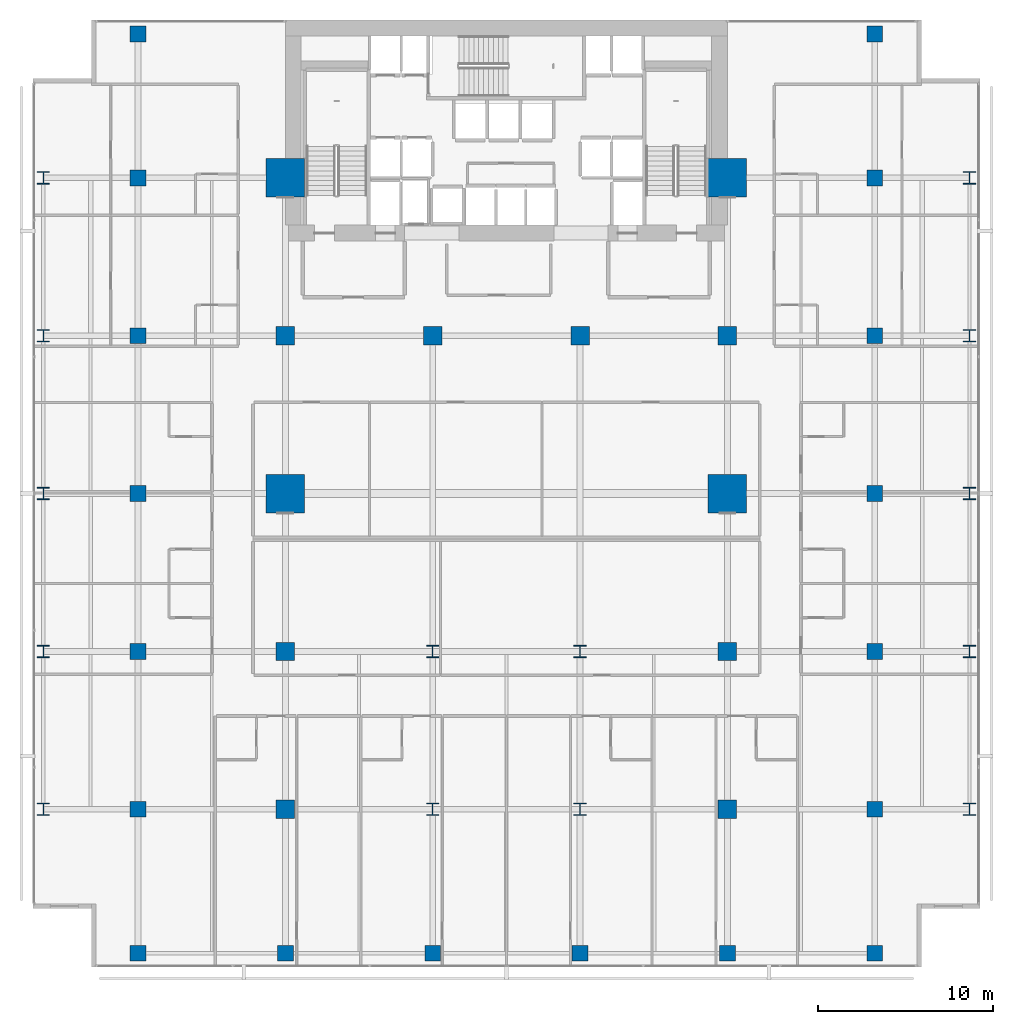
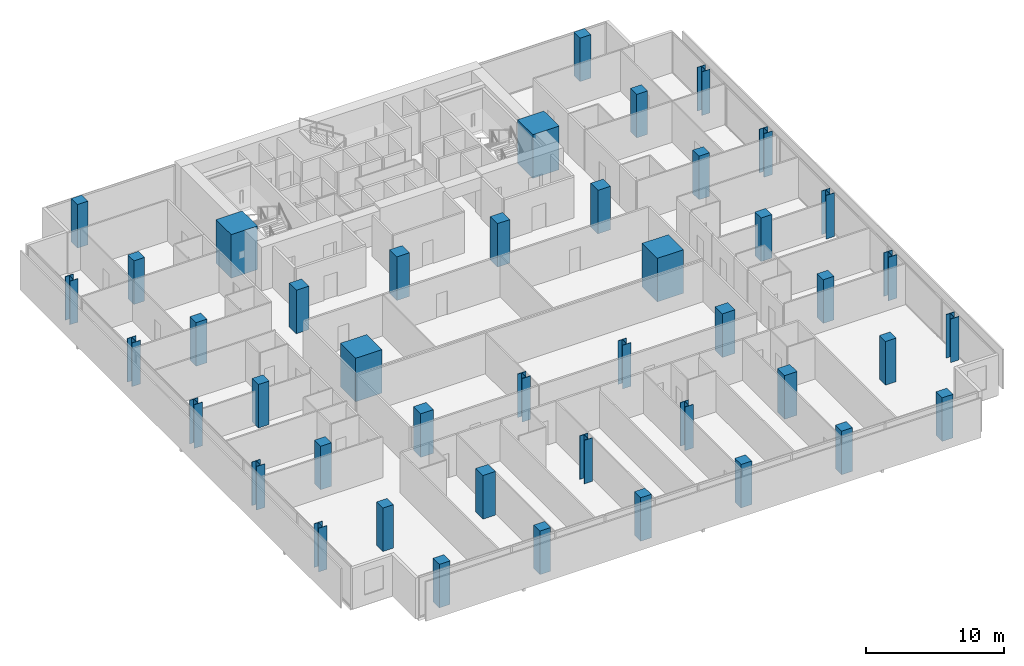
# One storey, part 1 of 40: 44 columns.
"""IFC4 building model written with IfcOpenShell, lengths in metres."""

from ifc_helpers import new_model, si_unit, direction, frame, origin, origin_2d, place, context, subcontext, project, spatial, rectangle, i_section, extrude, material, material_profile, profile_set, type_object, element, save


model = new_model("IFC4")

# Units and contexts
model_context = context("Model", 3, precision=1e-05, world=origin(), true_north=direction((0.0, 1.0)))
body_context = subcontext(model_context, "Body", "Model", "MODEL_VIEW")
ifc_project = project(units=[si_unit("LENGTHUNIT", "METRE"), si_unit("AREAUNIT", "SQUARE_METRE"), si_unit("VOLUMEUNIT", "CUBIC_METRE"), si_unit("PLANEANGLEUNIT", "RADIAN"), si_unit("MASSUNIT", "GRAM", prefix="KILO")], contexts=[model_context])

# Site, building, storey
site_placement = place(None, origin())
site = spatial("IfcSite", under=ifc_project, at=site_placement, CompositionType="ELEMENT")
building_placement = place(site_placement, origin())
building = spatial("IfcBuilding", under=site, at=building_placement, Name="Maruvema Waterfront Hotel and Observation Tower", CompositionType="ELEMENT")
storey_placement = place(building_placement, frame((0.0, 0.0, 42.35009765625)))
storey = spatial("IfcBuildingStorey", under=building, at=storey_placement, Name="L09", CompositionType="ELEMENT", Elevation=42.35009765625)

# Columns
ifc_material_1 = material(Name="Concrete C80/95", Category="concrete")
ifc_material_profile_1 = material_profile(ifc_material_1, rectangle(XDim=2.199951171875, YDim=2.199951171875, at=origin_2d()), Name="MC2200x2200")
ifc_profile_set_1 = profile_set([ifc_material_profile_1], Name="Concrete C80/95")
column_type_1 = type_object("IfcColumnType", Name="Continuous Mega-Column MC2200x2200", PredefinedType="COLUMN", material=ifc_profile_set_1)
for number, where, z_axis, x_axis, name in (
    (1, (25.199951171875, 27.0, 0.0), (0.0, 0.0, 1.0), (1.0, 0.0, 0.0), "L09 Continuous Mega-Column MC-01"),
    (2, (50.39990234375, 27.0, 0.0), (0.0, 0.0, 1.0), (1.0, 0.0, 0.0), "L09 Continuous Mega-Column MC-02"),
    (3, (25.199951171875, 45.0, 0.0), (0.0, 0.0, 1.0), (1.0, 0.0, 0.0), "L09 Continuous Mega-Column MC-03"),
    (4, (50.39990234375, 45.0, 0.0), (0.0, 0.0, 1.0), (1.0, 0.0, 0.0), "L09 Continuous Mega-Column MC-04"),
):
    element("IfcColumn", number, at=place(storey_placement, frame(where, z_axis=z_axis, x_axis=x_axis)), inside=storey, type_object=column_type_1, Name=name, PredefinedType="COLUMN", context=body_context, shape_type="SweptSolid", body=[
        extrude(rectangle(XDim=2.199951171875, YDim=2.199951171875, at=origin_2d()), origin(), (0.0, 0.0, 1.0), 3.849853515625),
    ])
ifc_material_2 = material(Name="Concrete C60/75", Category="concrete")
ifc_material_profile_2 = material_profile(ifc_material_2, rectangle(XDim=1.050048828125, YDim=1.050048828125, at=origin_2d()), Name="RC1050x1050")
ifc_profile_set_2 = profile_set([ifc_material_profile_2], Name="Concrete C60/75")
column_type_2 = type_object("IfcColumnType", Name="Reinforced Concrete Column RC1050x1050", PredefinedType="COLUMN", material=ifc_profile_set_2)
for number, where, z_axis, x_axis, name in (
    (5, (25.199951171875, 36.0, 0.0), (0.0, 0.0, 1.0), (1.0, 0.0, 0.0), "L09 Column C-4E"),
    (6, (33.60009765625, 36.0, 0.0), (0.0, 0.0, 1.0), (1.0, 0.0, 0.0), "L09 Column C-5E"),
    (7, (42.0, 36.0, 0.0), (0.0, 0.0, 1.0), (1.0, 0.0, 0.0), "L09 Column C-6E"),
    (8, (50.39990234375, 36.0, 0.0), (0.0, 0.0, 1.0), (1.0, 0.0, 0.0), "L09 Column C-7E"),
    (9, (25.199951171875, 18.0, 0.0), (0.0, 0.0, 1.0), (1.0, 0.0, 0.0), "L09 Column C-4C"),
    (10, (50.39990234375, 18.0, 0.0), (0.0, 0.0, 1.0), (1.0, 0.0, 0.0), "L09 Column C-7C"),
    (11, (25.199951171875, 9.0, 0.0), (0.0, 0.0, 1.0), (1.0, 0.0, 0.0), "L09 Column C-4B"),
    (12, (50.39990234375, 9.0, 0.0), (0.0, 0.0, 1.0), (1.0, 0.0, 0.0), "L09 Column C-7B"),
):
    element("IfcColumn", number, at=place(storey_placement, frame(where, z_axis=z_axis, x_axis=x_axis)), inside=storey, type_object=column_type_2, Name=name, PredefinedType="COLUMN", context=body_context, shape_type="SweptSolid", body=[
        extrude(rectangle(XDim=1.050048828125, YDim=1.050048828125, at=origin_2d()), origin(), (0.0, 0.0, 1.0), 3.849853515625),
    ])
ifc_material_3 = material(Name="Concrete C60/75", Category="concrete")
ifc_material_profile_3 = material_profile(ifc_material_3, rectangle(XDim=0.89990234375, YDim=0.89990234375, at=origin_2d()), Name="RC900x900")
ifc_profile_set_3 = profile_set([ifc_material_profile_3], Name="Concrete C60/75")
column_type_3 = type_object("IfcColumnType", Name="Reinforced Concrete Column RC900x900", PredefinedType="COLUMN", material=ifc_profile_set_3)
for number, where, z_axis, x_axis, name in (
    (13, (16.800048828125, 9.0, 0.0), (0.0, 0.0, 1.0), (1.0, 0.0, 0.0), "L09 Column C-3Y9"),
    (14, (58.800048828125, 9.0, 0.0), (0.0, 0.0, 1.0), (1.0, 0.0, 0.0), "L09 Column C-8Y9"),
    (15, (16.800048828125, 18.0, 0.0), (0.0, 0.0, 1.0), (1.0, 0.0, 0.0), "L09 Column C-3Y18"),
    (16, (58.800048828125, 18.0, 0.0), (0.0, 0.0, 1.0), (1.0, 0.0, 0.0), "L09 Column C-8Y18"),
    (17, (16.800048828125, 27.0, 0.0), (0.0, 0.0, 1.0), (1.0, 0.0, 0.0), "L09 Column C-3Y27"),
    (18, (58.800048828125, 27.0, 0.0), (0.0, 0.0, 1.0), (1.0, 0.0, 0.0), "L09 Column C-8Y27"),
    (19, (16.800048828125, 36.0, 0.0), (0.0, 0.0, 1.0), (1.0, 0.0, 0.0), "L09 Column C-3Y36"),
    (20, (58.800048828125, 36.0, 0.0), (0.0, 0.0, 1.0), (1.0, 0.0, 0.0), "L09 Column C-8Y36"),
    (21, (16.800048828125, 45.0, 0.0), (0.0, 0.0, 1.0), (1.0, 0.0, 0.0), "L09 Column C-3Y45"),
    (22, (58.800048828125, 45.0, 0.0), (0.0, 0.0, 1.0), (1.0, 0.0, 0.0), "L09 Column C-8Y45"),
    (23, (16.800048828125, 0.800048828125, 0.0), (0.0, 0.0, 1.0), (1.0, 0.0, 0.0), "L09 Column C-3A"),
    (24, (25.199951171875, 0.800048828125, 0.0), (0.0, 0.0, 1.0), (1.0, 0.0, 0.0), "L09 Column C-4A"),
    (25, (33.60009765625, 0.800048828125, 0.0), (0.0, 0.0, 1.0), (1.0, 0.0, 0.0), "L09 Column C-5A"),
    (26, (42.0, 0.800048828125, 0.0), (0.0, 0.0, 1.0), (1.0, 0.0, 0.0), "L09 Column C-6A"),
    (27, (50.39990234375, 0.800048828125, 0.0), (0.0, 0.0, 1.0), (1.0, 0.0, 0.0), "L09 Column C-7A"),
    (28, (58.800048828125, 0.800048828125, 0.0), (0.0, 0.0, 1.0), (1.0, 0.0, 0.0), "L09 Column C-8A"),
    (29, (16.800048828125, 53.199951171875, 0.0), (0.0, 0.0, 1.0), (1.0, 0.0, 0.0), "L09 Column C-3G"),
    (30, (58.800048828125, 53.199951171875, 0.0), (0.0, 0.0, 1.0), (1.0, 0.0, 0.0), "L09 Column C-8G"),
):
    element("IfcColumn", number, at=place(storey_placement, frame(where, z_axis=z_axis, x_axis=x_axis)), inside=storey, type_object=column_type_3, Name=name, PredefinedType="COLUMN", context=body_context, shape_type="SweptSolid", body=[
        extrude(rectangle(XDim=0.89990234375, YDim=0.89990234375, at=origin_2d()), origin(), (0.0, 0.0, 1.0), 3.849853515625),
    ])
ifc_material_4 = material(Name="Steel ABNT NBR 7007 AR 415 (ASTM A572 Grade 50)", Category="steel")
ifc_material_profile_4 = material_profile(ifc_material_4, i_section(OverallWidth=0.699951171875, OverallDepth=0.699951171875, WebThickness=0.028076171875, FlangeThickness=0.0439453125, at=origin_2d()), Name="CVS700x436")
ifc_profile_set_4 = profile_set([ifc_material_profile_4], Name="Steel ABNT NBR 7007 AR 415 (ASTM A572 Grade 50)")
column_type_4 = type_object("IfcColumnType", Name="Structural Steel Column CVS700x436", PredefinedType="COLUMN", material=ifc_profile_set_4)
for number, where, z_axis, x_axis, name in (
    (31, (33.60009765625, 9.0, 0.0), (0.0, 0.0, 1.0), (1.0, 0.0, 0.0), "L09 Column C-5B"),
    (32, (42.0, 9.0, 0.0), (0.0, 0.0, 1.0), (1.0, 0.0, 0.0), "L09 Column C-6B"),
    (33, (33.60009765625, 18.0, 0.0), (0.0, 0.0, 1.0), (1.0, 0.0, 0.0), "L09 Column C-5C"),
    (34, (42.0, 18.0, 0.0), (0.0, 0.0, 1.0), (1.0, 0.0, 0.0), "L09 Column C-6C"),
    (35, (11.39990234375, 9.0, 0.0), (0.0, 0.0, 1.0), (1.0, 0.0, 0.0), "L09 Column C-Z1W9"),
    (36, (64.199951171875, 9.0, 0.0), (0.0, 0.0, 1.0), (1.0, 0.0, 0.0), "L09 Column C-Z1E9"),
    (37, (11.39990234375, 18.0, 0.0), (0.0, 0.0, 1.0), (1.0, 0.0, 0.0), "L09 Column C-Z1W18"),
    (38, (64.199951171875, 18.0, 0.0), (0.0, 0.0, 1.0), (1.0, 0.0, 0.0), "L09 Column C-Z1E18"),
    (39, (11.39990234375, 27.0, 0.0), (0.0, 0.0, 1.0), (1.0, 0.0, 0.0), "L09 Column C-Z1W27"),
    (40, (64.199951171875, 27.0, 0.0), (0.0, 0.0, 1.0), (1.0, 0.0, 0.0), "L09 Column C-Z1E27"),
    (41, (11.39990234375, 36.0, 0.0), (0.0, 0.0, 1.0), (1.0, 0.0, 0.0), "L09 Column C-Z1W36"),
    (42, (64.199951171875, 36.0, 0.0), (0.0, 0.0, 1.0), (1.0, 0.0, 0.0), "L09 Column C-Z1E36"),
    (43, (11.39990234375, 45.0, 0.0), (0.0, 0.0, 1.0), (1.0, 0.0, 0.0), "L09 Column C-Z1W45"),
    (44, (64.199951171875, 45.0, 0.0), (0.0, 0.0, 1.0), (1.0, 0.0, 0.0), "L09 Column C-Z1E45"),
):
    element("IfcColumn", number, at=place(storey_placement, frame(where, z_axis=z_axis, x_axis=x_axis)), inside=storey, type_object=column_type_4, Name=name, PredefinedType="COLUMN", context=body_context, shape_type="SweptSolid", body=[
        extrude(i_section(OverallWidth=0.699951171875, OverallDepth=0.699951171875, WebThickness=0.028076171875, FlangeThickness=0.0439453125, at=origin_2d()), origin(), (0.0, 0.0, 1.0), 3.849853515625),
    ])

save(model, "model.ifc")
